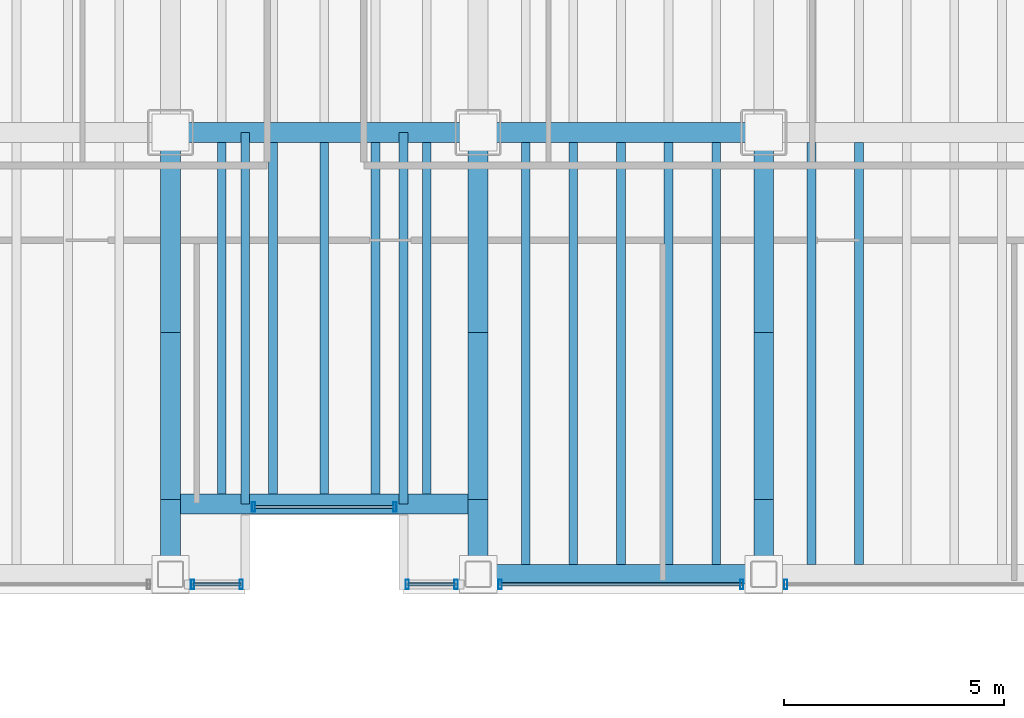
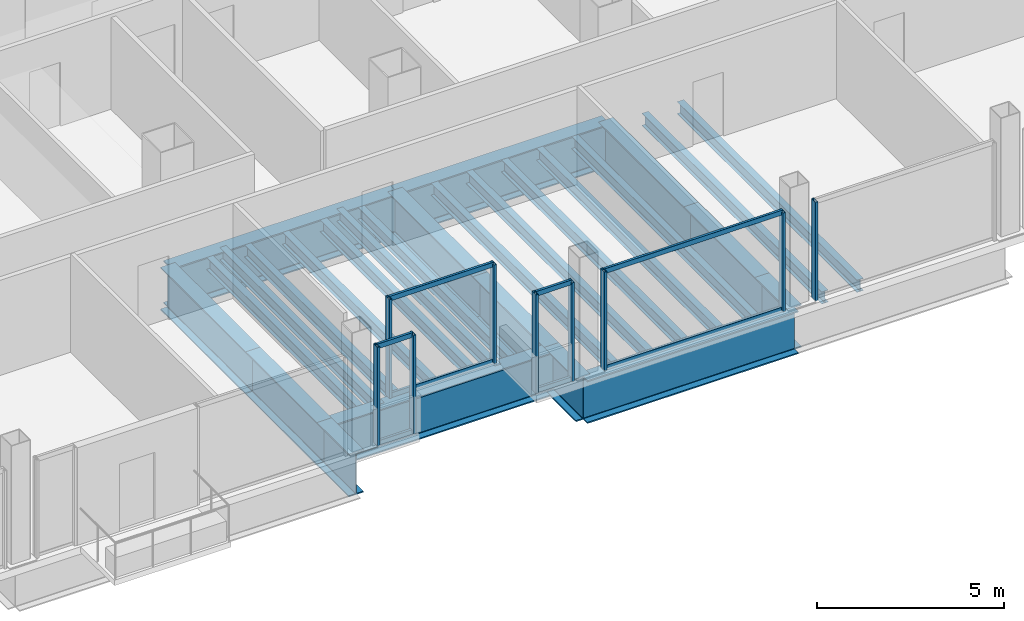
# One storey, part 4 of 21: 27 beams, 17 members, 5 elements without a shape of their own.
"""IFC4 building model written with IfcOpenShell, lengths in metres."""

from ifc_helpers import new_model, si_unit, direction, frame, origin, origin_2d, place, context, subcontext, project, spatial, hollow_rectangle, i_section, extrude, material, material_profile, profile_set, type_object, element, aggregate, save


model = new_model("IFC4")

# Units and contexts
model_context = context("Model", 3, precision=1e-05, world=origin(), true_north=direction((0.0, 1.0)))
body_context = subcontext(model_context, "Body", "Model", "MODEL_VIEW")
ifc_project = project(units=[si_unit("LENGTHUNIT", "METRE"), si_unit("AREAUNIT", "SQUARE_METRE"), si_unit("VOLUMEUNIT", "CUBIC_METRE"), si_unit("PLANEANGLEUNIT", "RADIAN"), si_unit("MASSUNIT", "GRAM", prefix="KILO")], contexts=[model_context])

# Site, building, storey
site_placement = place(None, origin())
site = spatial("IfcSite", under=ifc_project, at=site_placement, CompositionType="ELEMENT")
building_placement = place(site_placement, origin())
building = spatial("IfcBuilding", under=site, at=building_placement, Name="Noeulbin Bourse Tower", CompositionType="ELEMENT")
storey_placement = place(building_placement, frame((0.0, 0.0, 81.10009765625)))
storey = spatial("IfcBuildingStorey", under=building, at=storey_placement, Name="L20", CompositionType="ELEMENT", Elevation=81.10009765625)

# Beams
ifc_material_1 = material(Name="Steel S355", Category="steel")
ifc_material_profile_1 = material_profile(ifc_material_1, i_section(OverallWidth=0.199951171875, OverallDepth=0.39990234375, WebThickness=0.008056640625, FlangeThickness=0.012939453125, FilletRadius=0.01611328125, at=origin_2d()), Name="H-400x200x8x13", Category="LoadBearing")
ifc_profile_set_1 = profile_set([ifc_material_profile_1], Name="Steel S355")
beam_type_1 = type_object("IfcBeamType", Name="BM-SEC-400", PredefinedType="BEAM", material=ifc_profile_set_1)
for number, where, z_axis, x_axis, name in (
    (1, (25.699951171875, 11.550048828125, -0.440185546875), (0.0, 1.0, 0.0), (-1.0, 0.0, 0.0), "BM-L20-SRT-W"),
    (2, (29.300048828125, 11.550048828125, -0.440185546875), (0.0, 1.0, 0.0), (-1.0, 0.0, 0.0), "BM-L20-SRT-E"),
):
    element("IfcBeam", number, at=place(storey_placement, frame(where, z_axis=z_axis, x_axis=x_axis)), inside=storey, type_object=beam_type_1, Name=name, PredefinedType="BEAM", context=body_context, shape_type="SweptSolid", body=[
        extrude(i_section(OverallWidth=0.199951171875, OverallDepth=0.39990234375, WebThickness=0.008056640625, FlangeThickness=0.012939453125, FilletRadius=0.01611328125, at=origin_2d()), origin(), (0.0, 0.0, 1.0), 8.449951171875),
    ])
for number, where, z_axis, x_axis, name in (
    (3, (25.166748046875, 11.77490234375, -0.440185546875), (0.0, 1.0, 0.0), (-1.0, 0.0, 0.0), "Tower Composite Joist L20-25"),
    (4, (26.333251953125, 11.77490234375, -0.440185546875), (0.0, 1.0, 0.0), (-1.0, 0.0, 0.0), "Tower Composite Joist L20-28"),
    (5, (27.5, 11.77490234375, -0.440185546875), (0.0, 1.0, 0.0), (-1.0, 0.0, 0.0), "Tower Composite Joist L20-31"),
    (6, (28.666748046875, 11.77490234375, -0.440185546875), (0.0, 1.0, 0.0), (-1.0, 0.0, 0.0), "Tower Composite Joist L20-34"),
    (7, (29.833251953125, 11.77490234375, -0.440185546875), (0.0, 1.0, 0.0), (-1.0, 0.0, 0.0), "Tower Composite Joist L20-37"),
):
    element("IfcBeam", number, at=place(storey_placement, frame(where, z_axis=z_axis, x_axis=x_axis)), inside=storey, type_object=beam_type_1, Name=name, PredefinedType="BEAM", context=body_context, shape_type="SweptSolid", body=[
        extrude(i_section(OverallWidth=0.199951171875, OverallDepth=0.39990234375, WebThickness=0.008056640625, FlangeThickness=0.012939453125, FilletRadius=0.01611328125, at=origin_2d()), origin(), (0.0, 0.0, 1.0), 8.0),
    ])
for number, where, z_axis, x_axis, name in (
    (8, (32.083251953125, 10.175048828125, -0.440185546875), (0.0, 1.0, 0.0), (-1.0, 0.0, 0.0), "Tower Composite Joist L20-40"),
    (9, (33.166748046875, 10.175048828125, -0.440185546875), (0.0, 1.0, 0.0), (-1.0, 0.0, 0.0), "Tower Composite Joist L20-43"),
    (10, (34.25, 10.175048828125, -0.440185546875), (0.0, 1.0, 0.0), (-1.0, 0.0, 0.0), "Tower Composite Joist L20-46"),
    (11, (35.333251953125, 10.175048828125, -0.440185546875), (0.0, 1.0, 0.0), (-1.0, 0.0, 0.0), "Tower Composite Joist L20-49"),
    (12, (36.416748046875, 10.175048828125, -0.440185546875), (0.0, 1.0, 0.0), (-1.0, 0.0, 0.0), "Tower Composite Joist L20-52"),
    (13, (38.583251953125, 10.175048828125, -0.440185546875), (0.0, 1.0, 0.0), (-1.0, 0.0, 0.0), "Tower Composite Joist L20-55"),
    (14, (39.666748046875, 10.175048828125, -0.440185546875), (0.0, 1.0, 0.0), (-1.0, 0.0, 0.0), "Tower Composite Joist L20-58"),
):
    element("IfcBeam", number, at=place(storey_placement, frame(where, z_axis=z_axis, x_axis=x_axis)), inside=storey, type_object=beam_type_1, Name=name, PredefinedType="BEAM", context=body_context, shape_type="SweptSolid", body=[
        extrude(i_section(OverallWidth=0.199951171875, OverallDepth=0.39990234375, WebThickness=0.008056640625, FlangeThickness=0.012939453125, FilletRadius=0.01611328125, at=origin_2d()), origin(), (0.0, 0.0, 1.0), 9.599853515625),
    ])
ifc_material_2 = material(Name="Steel S460", Category="steel")
ifc_material_profile_2 = material_profile(ifc_material_2, i_section(OverallWidth=0.449951171875, OverallDepth=1.39990234375, WebThickness=0.02392578125, FlangeThickness=0.0400390625, FilletRadius=0.02392578125, at=origin_2d()), Name="PG-1400x450x24x40", Category="LoadBearing")
ifc_profile_set_2 = profile_set([ifc_material_profile_2], Name="Steel S460")
beam_type_2 = type_object("IfcBeamType", Name="BM-TRF-1400", PredefinedType="USERDEFINED", material=ifc_profile_set_2)
beam_1_placement = place(storey_placement, frame((24.0, 20.0, -0.940185546875), z_axis=(1.0, 0.0, 0.0), x_axis=(0.0, 1.0, 0.0)))
element("IfcBeam", 15, at=beam_1_placement, inside=storey, type_object=beam_type_2, Name="Tower Primary Girder EW L20-1.3", ObjectType="GIRDER", PredefinedType="USERDEFINED", context=body_context, shape_type="SweptSolid", body=[
    extrude(i_section(OverallWidth=0.449951171875, OverallDepth=1.39990234375, WebThickness=0.02392578125, FlangeThickness=0.0400390625, FilletRadius=0.02392578125, at=origin_2d()), origin(), (0.0, 0.0, 1.0), 7.0),
])
beam_2_placement = place(storey_placement, frame((31.0, 20.0, -0.940185546875), z_axis=(1.0, 0.0, 0.0), x_axis=(0.0, 1.0, 0.0)))
element("IfcBeam", 16, at=beam_2_placement, inside=storey, type_object=beam_type_2, Name="Tower Primary Girder EW L20-1.4", ObjectType="GIRDER", PredefinedType="USERDEFINED", context=body_context, shape_type="SweptSolid", body=[
    extrude(i_section(OverallWidth=0.449951171875, OverallDepth=1.39990234375, WebThickness=0.02392578125, FlangeThickness=0.0400390625, FilletRadius=0.02392578125, at=origin_2d()), origin(), (0.0, 0.0, 1.0), 6.5),
])
beam_3_placement = place(storey_placement, frame((24.0, 9.949951171875, -0.940185546875), z_axis=(0.0, 1.0, 0.0), x_axis=(-1.0, 0.0, 0.0)))
element("IfcBeam", 17, at=beam_3_placement, inside=storey, type_object=beam_type_2, Name="Tower Primary Girder NS L20-2.1", ObjectType="GIRDER", PredefinedType="USERDEFINED", context=body_context, shape_type="SweptSolid", body=[
    extrude(i_section(OverallWidth=0.449951171875, OverallDepth=1.39990234375, WebThickness=0.02392578125, FlangeThickness=0.0400390625, FilletRadius=0.02392578125, at=origin_2d()), origin(), (0.0, 0.0, 1.0), 1.699951171875),
])
beam_4_placement = place(storey_placement, frame((24.0, 11.64990234375, -0.940185546875), z_axis=(0.0, 1.0, 0.0), x_axis=(-1.0, 0.0, 0.0)))
element("IfcBeam", 18, at=beam_4_placement, inside=storey, type_object=beam_type_2, Name="Tower Primary Girder NS L20-2.2", ObjectType="GIRDER", PredefinedType="USERDEFINED", context=body_context, shape_type="SweptSolid", body=[
    extrude(i_section(OverallWidth=0.449951171875, OverallDepth=1.39990234375, WebThickness=0.02392578125, FlangeThickness=0.0400390625, FilletRadius=0.02392578125, at=origin_2d()), origin(), (0.0, 0.0, 1.0), 3.800048828125),
])
beam_5_placement = place(storey_placement, frame((24.0, 15.449951171875, -0.940185546875), z_axis=(0.0, 1.0, 0.0), x_axis=(-1.0, 0.0, 0.0)))
element("IfcBeam", 19, at=beam_5_placement, inside=storey, type_object=beam_type_2, Name="Tower Primary Girder NS L20-2.3", ObjectType="GIRDER", PredefinedType="USERDEFINED", context=body_context, shape_type="SweptSolid", body=[
    extrude(i_section(OverallWidth=0.449951171875, OverallDepth=1.39990234375, WebThickness=0.02392578125, FlangeThickness=0.0400390625, FilletRadius=0.02392578125, at=origin_2d()), origin(), (0.0, 0.0, 1.0), 4.550048828125),
])
beam_6_placement = place(storey_placement, frame((31.0, 9.949951171875, -0.940185546875), z_axis=(0.0, 1.0, 0.0), x_axis=(-1.0, 0.0, 0.0)))
element("IfcBeam", 20, at=beam_6_placement, inside=storey, type_object=beam_type_2, Name="Tower Primary Girder NS L20-3.1", ObjectType="GIRDER", PredefinedType="USERDEFINED", context=body_context, shape_type="SweptSolid", body=[
    extrude(i_section(OverallWidth=0.449951171875, OverallDepth=1.39990234375, WebThickness=0.02392578125, FlangeThickness=0.0400390625, FilletRadius=0.02392578125, at=origin_2d()), origin(), (0.0, 0.0, 1.0), 1.699951171875),
])
beam_7_placement = place(storey_placement, frame((31.0, 11.64990234375, -0.940185546875), z_axis=(0.0, 1.0, 0.0), x_axis=(-1.0, 0.0, 0.0)))
element("IfcBeam", 21, at=beam_7_placement, inside=storey, type_object=beam_type_2, Name="Tower Primary Girder NS L20-3.2", ObjectType="GIRDER", PredefinedType="USERDEFINED", context=body_context, shape_type="SweptSolid", body=[
    extrude(i_section(OverallWidth=0.449951171875, OverallDepth=1.39990234375, WebThickness=0.02392578125, FlangeThickness=0.0400390625, FilletRadius=0.02392578125, at=origin_2d()), origin(), (0.0, 0.0, 1.0), 3.800048828125),
])
beam_8_placement = place(storey_placement, frame((31.0, 15.449951171875, -0.940185546875), z_axis=(0.0, 1.0, 0.0), x_axis=(-1.0, 0.0, 0.0)))
element("IfcBeam", 22, at=beam_8_placement, inside=storey, type_object=beam_type_2, Name="Tower Primary Girder NS L20-3.3", ObjectType="GIRDER", PredefinedType="USERDEFINED", context=body_context, shape_type="SweptSolid", body=[
    extrude(i_section(OverallWidth=0.449951171875, OverallDepth=1.39990234375, WebThickness=0.02392578125, FlangeThickness=0.0400390625, FilletRadius=0.02392578125, at=origin_2d()), origin(), (0.0, 0.0, 1.0), 4.550048828125),
])
beam_9_placement = place(storey_placement, frame((37.5, 9.949951171875, -0.940185546875), z_axis=(0.0, 1.0, 0.0), x_axis=(-1.0, 0.0, 0.0)))
element("IfcBeam", 23, at=beam_9_placement, inside=storey, type_object=beam_type_2, Name="Tower Primary Girder NS L20-4.1", ObjectType="GIRDER", PredefinedType="USERDEFINED", context=body_context, shape_type="SweptSolid", body=[
    extrude(i_section(OverallWidth=0.449951171875, OverallDepth=1.39990234375, WebThickness=0.02392578125, FlangeThickness=0.0400390625, FilletRadius=0.02392578125, at=origin_2d()), origin(), (0.0, 0.0, 1.0), 1.699951171875),
])
beam_10_placement = place(storey_placement, frame((37.5, 11.64990234375, -0.940185546875), z_axis=(0.0, 1.0, 0.0), x_axis=(-1.0, 0.0, 0.0)))
element("IfcBeam", 24, at=beam_10_placement, inside=storey, type_object=beam_type_2, Name="Tower Primary Girder NS L20-4.2", ObjectType="GIRDER", PredefinedType="USERDEFINED", context=body_context, shape_type="SweptSolid", body=[
    extrude(i_section(OverallWidth=0.449951171875, OverallDepth=1.39990234375, WebThickness=0.02392578125, FlangeThickness=0.0400390625, FilletRadius=0.02392578125, at=origin_2d()), origin(), (0.0, 0.0, 1.0), 3.800048828125),
])
beam_11_placement = place(storey_placement, frame((37.5, 15.449951171875, -0.940185546875), z_axis=(0.0, 1.0, 0.0), x_axis=(-1.0, 0.0, 0.0)))
element("IfcBeam", 25, at=beam_11_placement, inside=storey, type_object=beam_type_2, Name="Tower Primary Girder NS L20-4.3", ObjectType="GIRDER", PredefinedType="USERDEFINED", context=body_context, shape_type="SweptSolid", body=[
    extrude(i_section(OverallWidth=0.449951171875, OverallDepth=1.39990234375, WebThickness=0.02392578125, FlangeThickness=0.0400390625, FilletRadius=0.02392578125, at=origin_2d()), origin(), (0.0, 0.0, 1.0), 4.550048828125),
])
beam_12_placement = place(storey_placement, frame((24.0, 11.550048828125, -0.940185546875), z_axis=(1.0, 0.0, 0.0), x_axis=(0.0, 1.0, 0.0)))
element("IfcBeam", 26, at=beam_12_placement, inside=storey, type_object=beam_type_2, Name="South Recess Spandrel L20-2B", ObjectType="GIRDER", PredefinedType="USERDEFINED", context=body_context, shape_type="SweptSolid", body=[
    extrude(i_section(OverallWidth=0.449951171875, OverallDepth=1.39990234375, WebThickness=0.02392578125, FlangeThickness=0.0400390625, FilletRadius=0.02392578125, at=origin_2d()), origin(), (0.0, 0.0, 1.0), 7.0),
])
beam_13_placement = place(storey_placement, frame((31.0, 9.949951171875, -0.940185546875), z_axis=(1.0, 0.0, 0.0), x_axis=(0.0, 1.0, 0.0)))
element("IfcBeam", 27, at=beam_13_placement, inside=storey, type_object=beam_type_2, Name="South Spandrel L20-3", ObjectType="GIRDER", PredefinedType="USERDEFINED", context=body_context, shape_type="SweptSolid", body=[
    extrude(i_section(OverallWidth=0.449951171875, OverallDepth=1.39990234375, WebThickness=0.02392578125, FlangeThickness=0.0400390625, FilletRadius=0.02392578125, at=origin_2d()), origin(), (0.0, 0.0, 1.0), 6.5),
])

# Curtain wall, members
ifc_material_3 = material(Name="Dark Solar-Control Double Glazing", Category="glass")
curtain_wall_type = type_object("IfcCurtainWallType", Name="CW-SYS-2", PredefinedType="NOTDEFINED", material=ifc_material_3)
curtain_wall_1_placement = place(storey_placement, origin())
curtain_wall_1 = element("IfcCurtainWall", 28, at=curtain_wall_1_placement, inside=storey, type_object=curtain_wall_type, Name="Unitised Curtain Wall CW-L20-SREC", PredefinedType="NOTDEFINED")
ifc_material_4 = material(Name="Anodised Aluminium 6063-T6", Category="aluminium")
ifc_material_profile_3 = material_profile(ifc_material_4, hollow_rectangle(XDim=0.074951171875, YDim=0.219970703125, WallThickness=0.0048828125, InnerFilletRadius=0.00244140625, OuterFilletRadius=0.0048828125, at=origin_2d()), Name="ALU-MULL-75x220x5", Category="LoadBearing")
ifc_profile_set_3 = profile_set([ifc_material_profile_3], Name="Anodised Aluminium 6063-T6")
member_type_1 = type_object("IfcMemberType", Name="CW-SYS-2-MUL", PredefinedType="MULLION", material=ifc_profile_set_3)
member_1_placement = place(storey_placement, frame((25.889892578125, 11.47998046875, -0.02001953125), z_axis=(0.0, 0.0, 1.0), x_axis=(1.0, 0.0, 0.0)))
member_1 = element("IfcMember", 29, at=member_1_placement, type_object=member_type_1, Name="Curtain Wall Mullion CW-L20-SREC-M00", PredefinedType="MULLION", context=body_context, shape_type="SweptSolid", body=[
    extrude(hollow_rectangle(XDim=0.074951171875, YDim=0.219970703125, WallThickness=0.0048828125, InnerFilletRadius=0.00244140625, OuterFilletRadius=0.0048828125, at=origin_2d()), origin(), (0.0, 0.0, 1.0), 3.219970703125),
])
member_2_placement = place(storey_placement, frame((29.110107421875, 11.47998046875, -0.02001953125), z_axis=(0.0, 0.0, 1.0), x_axis=(1.0, 0.0, 0.0)))
member_2 = element("IfcMember", 30, at=member_2_placement, type_object=member_type_1, Name="Curtain Wall Mullion CW-L20-SREC-M01", PredefinedType="MULLION", context=body_context, shape_type="SweptSolid", body=[
    extrude(hollow_rectangle(XDim=0.074951171875, YDim=0.219970703125, WallThickness=0.0048828125, InnerFilletRadius=0.00244140625, OuterFilletRadius=0.0048828125, at=origin_2d()), origin(), (0.0, 0.0, 1.0), 3.219970703125),
])

curtain_wall_2_placement = place(storey_placement, origin())
curtain_wall_2 = element("IfcCurtainWall", 31, at=curtain_wall_2_placement, inside=storey, type_object=curtain_wall_type, Name="Unitised Curtain Wall CW-L20-S2-S2", PredefinedType="NOTDEFINED")
member_3_placement = place(storey_placement, frame((24.5, 9.719970703125, -0.02001953125), z_axis=(0.0, 0.0, 1.0), x_axis=(1.0, 0.0, 0.0)))
member_3 = element("IfcMember", 32, at=member_3_placement, type_object=member_type_1, Name="Curtain Wall Mullion CW-L20-S2-S2-M00", PredefinedType="MULLION", context=body_context, shape_type="SweptSolid", body=[
    extrude(hollow_rectangle(XDim=0.074951171875, YDim=0.219970703125, WallThickness=0.0048828125, InnerFilletRadius=0.00244140625, OuterFilletRadius=0.0048828125, at=origin_2d()), origin(), (0.0, 0.0, 1.0), 3.219970703125),
])
member_4_placement = place(storey_placement, frame((25.610107421875, 9.719970703125, -0.02001953125), z_axis=(0.0, 0.0, 1.0), x_axis=(1.0, 0.0, 0.0)))
member_4 = element("IfcMember", 33, at=member_4_placement, type_object=member_type_1, Name="Curtain Wall Mullion CW-L20-S2-S2-M01", PredefinedType="MULLION", context=body_context, shape_type="SweptSolid", body=[
    extrude(hollow_rectangle(XDim=0.074951171875, YDim=0.219970703125, WallThickness=0.0048828125, InnerFilletRadius=0.00244140625, OuterFilletRadius=0.0048828125, at=origin_2d()), origin(), (0.0, 0.0, 1.0), 3.219970703125),
])

curtain_wall_3_placement = place(storey_placement, origin())
curtain_wall_3 = element("IfcCurtainWall", 34, at=curtain_wall_3_placement, inside=storey, type_object=curtain_wall_type, Name="Unitised Curtain Wall CW-L20-S3-S1", PredefinedType="NOTDEFINED")
member_5_placement = place(storey_placement, frame((29.389892578125, 9.719970703125, -0.02001953125), z_axis=(0.0, 0.0, 1.0), x_axis=(1.0, 0.0, 0.0)))
member_5 = element("IfcMember", 35, at=member_5_placement, type_object=member_type_1, Name="Curtain Wall Mullion CW-L20-S3-S1-M00", PredefinedType="MULLION", context=body_context, shape_type="SweptSolid", body=[
    extrude(hollow_rectangle(XDim=0.074951171875, YDim=0.219970703125, WallThickness=0.0048828125, InnerFilletRadius=0.00244140625, OuterFilletRadius=0.0048828125, at=origin_2d()), origin(), (0.0, 0.0, 1.0), 3.219970703125),
])
member_6_placement = place(storey_placement, frame((30.5, 9.719970703125, -0.02001953125), z_axis=(0.0, 0.0, 1.0), x_axis=(1.0, 0.0, 0.0)))
member_6 = element("IfcMember", 36, at=member_6_placement, type_object=member_type_1, Name="Curtain Wall Mullion CW-L20-S3-S1-M01", PredefinedType="MULLION", context=body_context, shape_type="SweptSolid", body=[
    extrude(hollow_rectangle(XDim=0.074951171875, YDim=0.219970703125, WallThickness=0.0048828125, InnerFilletRadius=0.00244140625, OuterFilletRadius=0.0048828125, at=origin_2d()), origin(), (0.0, 0.0, 1.0), 3.219970703125),
])

curtain_wall_4_placement = place(storey_placement, origin())
curtain_wall_4 = element("IfcCurtainWall", 37, at=curtain_wall_4_placement, inside=storey, type_object=curtain_wall_type, Name="Unitised Curtain Wall CW-L20-S3-S2", PredefinedType="NOTDEFINED")
member_7_placement = place(storey_placement, frame((31.5, 9.719970703125, -0.02001953125), z_axis=(0.0, 0.0, 1.0), x_axis=(1.0, 0.0, 0.0)))
member_7 = element("IfcMember", 38, at=member_7_placement, type_object=member_type_1, Name="Curtain Wall Mullion CW-L20-S3-S2-M00", PredefinedType="MULLION", context=body_context, shape_type="SweptSolid", body=[
    extrude(hollow_rectangle(XDim=0.074951171875, YDim=0.219970703125, WallThickness=0.0048828125, InnerFilletRadius=0.00244140625, OuterFilletRadius=0.0048828125, at=origin_2d()), origin(), (0.0, 0.0, 1.0), 3.219970703125),
])
member_8_placement = place(storey_placement, frame((37.0, 9.719970703125, -0.02001953125), z_axis=(0.0, 0.0, 1.0), x_axis=(1.0, 0.0, 0.0)))
member_8 = element("IfcMember", 39, at=member_8_placement, type_object=member_type_1, Name="Curtain Wall Mullion CW-L20-S3-S2-M01", PredefinedType="MULLION", context=body_context, shape_type="SweptSolid", body=[
    extrude(hollow_rectangle(XDim=0.074951171875, YDim=0.219970703125, WallThickness=0.0048828125, InnerFilletRadius=0.00244140625, OuterFilletRadius=0.0048828125, at=origin_2d()), origin(), (0.0, 0.0, 1.0), 3.219970703125),
])

# Curtain wall, member
curtain_wall_5_placement = place(storey_placement, origin())
curtain_wall_5 = element("IfcCurtainWall", 40, at=curtain_wall_5_placement, inside=storey, type_object=curtain_wall_type, Name="Unitised Curtain Wall CW-L20-S3-S3", PredefinedType="NOTDEFINED")
member_9_placement = place(storey_placement, frame((38.0, 9.719970703125, -0.02001953125), z_axis=(0.0, 0.0, 1.0), x_axis=(1.0, 0.0, 0.0)))
member_9 = element("IfcMember", 41, at=member_9_placement, type_object=member_type_1, Name="Curtain Wall Mullion CW-L20-S3-S3-M00", PredefinedType="MULLION", context=body_context, shape_type="SweptSolid", body=[
    extrude(hollow_rectangle(XDim=0.074951171875, YDim=0.219970703125, WallThickness=0.0048828125, InnerFilletRadius=0.00244140625, OuterFilletRadius=0.0048828125, at=origin_2d()), origin(), (0.0, 0.0, 1.0), 3.219970703125),
])
aggregate(curtain_wall_5, [member_9])

# Member
ifc_material_profile_4 = material_profile(ifc_material_4, hollow_rectangle(XDim=0.074951171875, YDim=0.159912109375, WallThickness=0.0048828125, InnerFilletRadius=0.00244140625, OuterFilletRadius=0.0048828125, at=origin_2d()), Name="ALU-TRAN-75x160x5", Category="LoadBearing")
ifc_profile_set_4 = profile_set([ifc_material_profile_4], Name="Anodised Aluminium 6063-T6")
member_type_2 = type_object("IfcMemberType", Name="CW-SYS-2-TRN", PredefinedType="USERDEFINED", material=ifc_profile_set_4)
member_10_placement = place(storey_placement, frame((25.89990234375, 11.47998046875, 0.010009765625), z_axis=(1.0, 0.0, 0.0), x_axis=(0.0, 1.0, 0.0)))
member_10 = element("IfcMember", 42, at=member_10_placement, type_object=member_type_2, Name="Curtain Wall Transom CW-L20-SREC-T00", ObjectType="TRANSOM", PredefinedType="USERDEFINED", context=body_context, shape_type="SweptSolid", body=[
    extrude(hollow_rectangle(XDim=0.074951171875, YDim=0.159912109375, WallThickness=0.0048828125, InnerFilletRadius=0.00244140625, OuterFilletRadius=0.0048828125, at=origin_2d()), origin(), (0.0, 0.0, 1.0), 3.2001953125),
])

member_11_placement = place(storey_placement, frame((25.89990234375, 11.47998046875, 3.169921875), z_axis=(1.0, 0.0, 0.0), x_axis=(0.0, 1.0, 0.0)))
member_11 = element("IfcMember", 43, at=member_11_placement, type_object=member_type_2, Name="Curtain Wall Transom CW-L20-SREC-T01", ObjectType="TRANSOM", PredefinedType="USERDEFINED", context=body_context, shape_type="SweptSolid", body=[
    extrude(hollow_rectangle(XDim=0.074951171875, YDim=0.159912109375, WallThickness=0.0048828125, InnerFilletRadius=0.00244140625, OuterFilletRadius=0.0048828125, at=origin_2d()), origin(), (0.0, 0.0, 1.0), 3.2001953125),
])

aggregate(curtain_wall_1, [member_1, member_2, member_10, member_11])

member_12_placement = place(storey_placement, frame((24.510009765625, 9.719970703125, 0.010009765625), z_axis=(1.0, 0.0, 0.0), x_axis=(0.0, 1.0, 0.0)))
member_12 = element("IfcMember", 44, at=member_12_placement, type_object=member_type_2, Name="Curtain Wall Transom CW-L20-S2-S2-T00", ObjectType="TRANSOM", PredefinedType="USERDEFINED", context=body_context, shape_type="SweptSolid", body=[
    extrude(hollow_rectangle(XDim=0.074951171875, YDim=0.159912109375, WallThickness=0.0048828125, InnerFilletRadius=0.00244140625, OuterFilletRadius=0.0048828125, at=origin_2d()), origin(), (0.0, 0.0, 1.0), 1.090087890625),
])

member_13_placement = place(storey_placement, frame((24.510009765625, 9.719970703125, 3.169921875), z_axis=(1.0, 0.0, 0.0), x_axis=(0.0, 1.0, 0.0)))
member_13 = element("IfcMember", 45, at=member_13_placement, type_object=member_type_2, Name="Curtain Wall Transom CW-L20-S2-S2-T01", ObjectType="TRANSOM", PredefinedType="USERDEFINED", context=body_context, shape_type="SweptSolid", body=[
    extrude(hollow_rectangle(XDim=0.074951171875, YDim=0.159912109375, WallThickness=0.0048828125, InnerFilletRadius=0.00244140625, OuterFilletRadius=0.0048828125, at=origin_2d()), origin(), (0.0, 0.0, 1.0), 1.090087890625),
])

aggregate(curtain_wall_2, [member_3, member_4, member_12, member_13])

member_14_placement = place(storey_placement, frame((29.39990234375, 9.719970703125, 0.010009765625), z_axis=(1.0, 0.0, 0.0), x_axis=(0.0, 1.0, 0.0)))
member_14 = element("IfcMember", 46, at=member_14_placement, type_object=member_type_2, Name="Curtain Wall Transom CW-L20-S3-S1-T00", ObjectType="TRANSOM", PredefinedType="USERDEFINED", context=body_context, shape_type="SweptSolid", body=[
    extrude(hollow_rectangle(XDim=0.074951171875, YDim=0.159912109375, WallThickness=0.0048828125, InnerFilletRadius=0.00244140625, OuterFilletRadius=0.0048828125, at=origin_2d()), origin(), (0.0, 0.0, 1.0), 1.090087890625),
])

member_15_placement = place(storey_placement, frame((29.39990234375, 9.719970703125, 3.169921875), z_axis=(1.0, 0.0, 0.0), x_axis=(0.0, 1.0, 0.0)))
member_15 = element("IfcMember", 47, at=member_15_placement, type_object=member_type_2, Name="Curtain Wall Transom CW-L20-S3-S1-T01", ObjectType="TRANSOM", PredefinedType="USERDEFINED", context=body_context, shape_type="SweptSolid", body=[
    extrude(hollow_rectangle(XDim=0.074951171875, YDim=0.159912109375, WallThickness=0.0048828125, InnerFilletRadius=0.00244140625, OuterFilletRadius=0.0048828125, at=origin_2d()), origin(), (0.0, 0.0, 1.0), 1.090087890625),
])

aggregate(curtain_wall_3, [member_5, member_6, member_14, member_15])

member_16_placement = place(storey_placement, frame((31.510009765625, 9.719970703125, 0.010009765625), z_axis=(1.0, 0.0, 0.0), x_axis=(0.0, 1.0, 0.0)))
member_16 = element("IfcMember", 48, at=member_16_placement, type_object=member_type_2, Name="Curtain Wall Transom CW-L20-S3-S2-T00", ObjectType="TRANSOM", PredefinedType="USERDEFINED", context=body_context, shape_type="SweptSolid", body=[
    extrude(hollow_rectangle(XDim=0.074951171875, YDim=0.159912109375, WallThickness=0.0048828125, InnerFilletRadius=0.00244140625, OuterFilletRadius=0.0048828125, at=origin_2d()), origin(), (0.0, 0.0, 1.0), 5.47998046875),
])

member_17_placement = place(storey_placement, frame((31.510009765625, 9.719970703125, 3.169921875), z_axis=(1.0, 0.0, 0.0), x_axis=(0.0, 1.0, 0.0)))
member_17 = element("IfcMember", 49, at=member_17_placement, type_object=member_type_2, Name="Curtain Wall Transom CW-L20-S3-S2-T01", ObjectType="TRANSOM", PredefinedType="USERDEFINED", context=body_context, shape_type="SweptSolid", body=[
    extrude(hollow_rectangle(XDim=0.074951171875, YDim=0.159912109375, WallThickness=0.0048828125, InnerFilletRadius=0.00244140625, OuterFilletRadius=0.0048828125, at=origin_2d()), origin(), (0.0, 0.0, 1.0), 5.47998046875),
])

aggregate(curtain_wall_4, [member_7, member_8, member_16, member_17])

save(model, "model.ifc")
